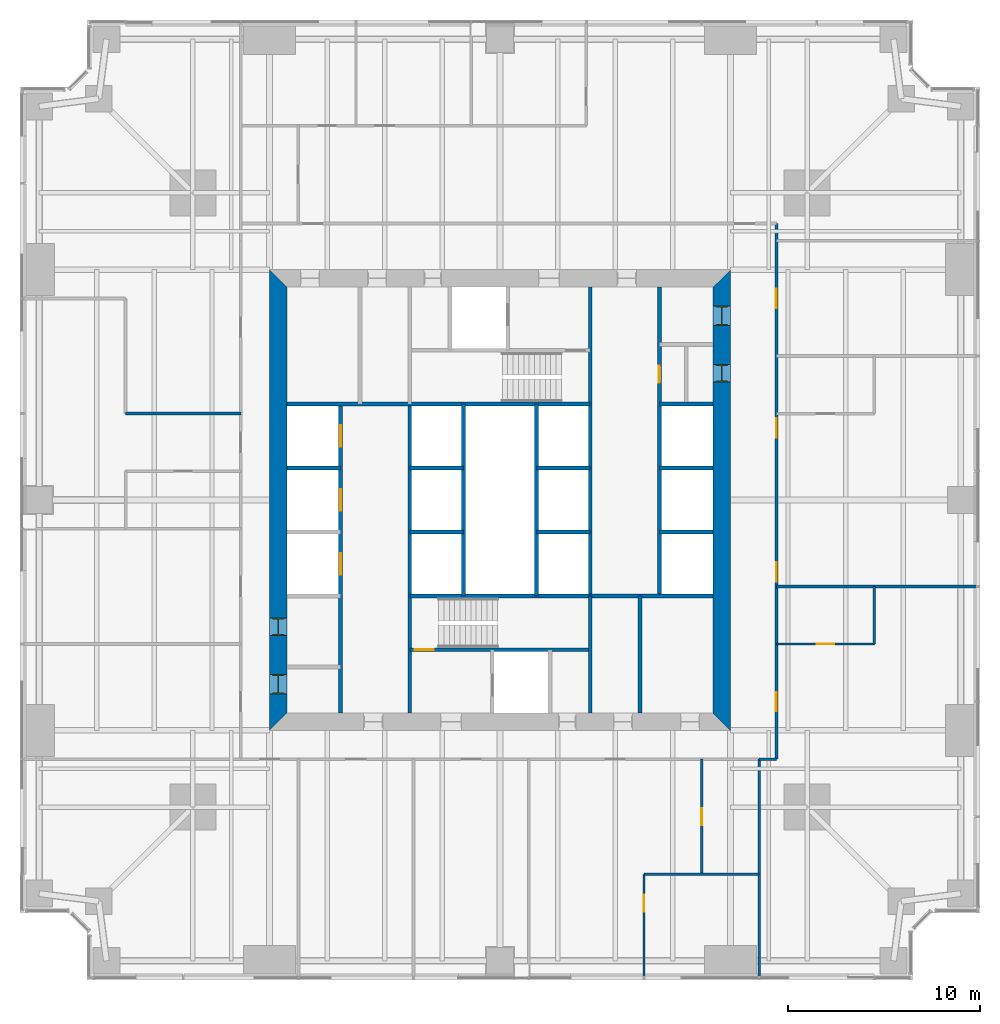
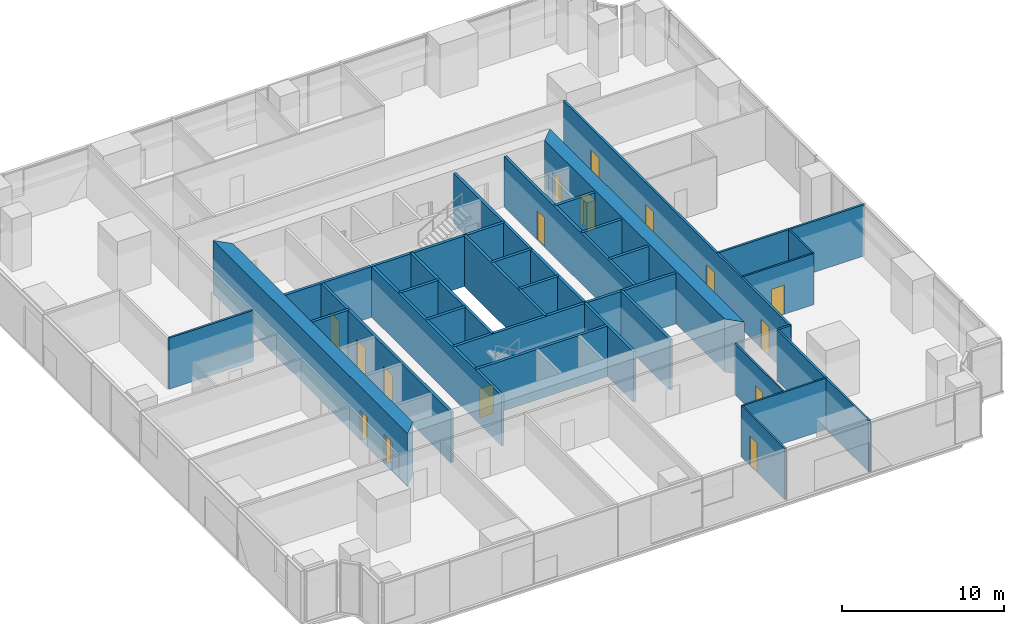
# One storey, part 10 of 14: 31 walls, 16 doors, 16 openings.
"""IFC4 building model written with IfcOpenShell, lengths in metres."""

from ifc_helpers import new_model, si_unit, direction, frame, frame_2d, origin, place, context, subcontext, project, spatial, polyline, rectangle, outline, extrude, material, layer, layer_set, type_object, element, fill, save


model = new_model("IFC4")

# Units and contexts
model_context = context("Model", 3, precision=1e-05, world=origin(), true_north=direction((0.0, 1.0)))
body_context = subcontext(model_context, "Body", "Model", "MODEL_VIEW")
ifc_project = project(units=[si_unit("LENGTHUNIT", "METRE"), si_unit("AREAUNIT", "SQUARE_METRE"), si_unit("VOLUMEUNIT", "CUBIC_METRE"), si_unit("PLANEANGLEUNIT", "RADIAN"), si_unit("MASSUNIT", "GRAM", prefix="KILO")], contexts=[model_context])

# Site, building, storey
site_placement = place(None, origin())
site = spatial("IfcSite", under=ifc_project, at=site_placement, CompositionType="ELEMENT")
building_placement = place(site_placement, origin())
building = spatial("IfcBuilding", under=site, at=building_placement, Name="Fenwick Lantern Interchange", CompositionType="ELEMENT")
storey_placement = place(building_placement, frame((0.0, 0.0, 71.0)))
storey = spatial("IfcBuildingStorey", under=building, at=storey_placement, Name="L16", CompositionType="ELEMENT", Elevation=71.0)

# Wall, openings, doors
ifc_material_1 = material(Name="Concrete masonry ASTM C90 Grade N", Category="masonry")
ifc_layer_1 = layer(ifc_material_1, 0.199951171875)
ifc_layer_set_1 = layer_set([ifc_layer_1], Name="Concrete masonry ASTM C90 Grade N")
wall_type_1 = type_object("IfcWallType", Name="CORE PARTITION 200", PredefinedType="PARTITIONING", material=ifc_layer_set_1)
wall_1_placement = place(storey_placement, frame((16.699951171875, 13.89990234375, 0.0), z_axis=(0.0, 0.0, 1.0), x_axis=(0.0, 1.0, 0.0)))
wall_1 = element("IfcWall", 1, at=wall_1_placement, inside=storey, type_object=wall_type_1, Name="L16/W/CORES/a", PredefinedType="PARTITIONING", context=body_context, shape_type="SweptSolid", body=[
    extrude(rectangle(XDim=16.10009765625, YDim=0.199951171875, at=frame_2d((8.050048828125, 0.0))), origin(), (0.0, 0.0, 1.0), 3.800048828125),
])
opening_1_placement = place(wall_1_placement, frame((7.216552734375, 0.0, 0.0)))
opening_1 = element("IfcOpeningElement", 2, at=opening_1_placement, cuts=wall_1, Name="Opening LD-W1-1", PredefinedType="OPENING", context=body_context, shape_type="SweptSolid", body=[
    extrude(rectangle(XDim=1.10009765625, YDim=2.199951171875, at=frame_2d((0.550048828125, 1.10009765625))), frame((0.0, 0.10986328125, 0.0), z_axis=(0.0, -1.0, 0.0), x_axis=(1.0, 0.0, 0.0)), (0.0, 0.0, 1.0), 0.219970703125),
])
opening_2_placement = place(wall_1_placement, frame((10.550048828125, 0.0, 0.0)))
opening_2 = element("IfcOpeningElement", 3, at=opening_2_placement, cuts=wall_1, Name="Opening LD-W1-2", PredefinedType="OPENING", context=body_context, shape_type="SweptSolid", body=[
    extrude(rectangle(XDim=1.10009765625, YDim=2.199951171875, at=frame_2d((0.550048828125, 1.10009765625))), frame((0.0, 0.10986328125, 0.0), z_axis=(0.0, -1.0, 0.0), x_axis=(1.0, 0.0, 0.0)), (0.0, 0.0, 1.0), 0.219970703125),
])
opening_3_placement = place(wall_1_placement, frame((13.88330078125, 0.0, 0.0)))
opening_3 = element("IfcOpeningElement", 4, at=opening_3_placement, cuts=wall_1, Name="Opening LD-W1-3", PredefinedType="OPENING", context=body_context, shape_type="SweptSolid", body=[
    extrude(rectangle(XDim=1.10009765625, YDim=2.199951171875, at=frame_2d((0.550048828125, 1.10009765625))), frame((0.0, 0.10986328125, 0.0), z_axis=(0.0, -1.0, 0.0), x_axis=(1.0, 0.0, 0.0)), (0.0, 0.0, 1.0), 0.219970703125),
])
ifc_material_2 = material(Name="Steel door and frame", Category="steel")
door_type_1 = type_object("IfcDoorType", Name="LIFT LANDING DOOR 1100 X 2200", OperationType="DOUBLE_DOOR_SLIDING", PredefinedType="DOOR", material=ifc_material_2)
door_1_placement = place(opening_1_placement, origin())
door_1 = element("IfcDoor", 5, at=door_1_placement, inside=storey, type_object=door_type_1, Name="Lift landing door W1-1", OperationType="DOUBLE_DOOR_SLIDING", OverallHeight=2.199951171875, OverallWidth=1.10009765625, PredefinedType="DOOR", context=body_context, shape_type="SweptSolid", body=[
    extrude(rectangle(XDim=1.10009765625, YDim=2.199951171875, at=frame_2d((0.550048828125, 1.10009765625))), frame((0.0, 0.02490234375, 0.0), z_axis=(0.0, -1.0, 0.0), x_axis=(1.0, 0.0, 0.0)), (0.0, 0.0, 1.0), 0.050048828125),
])
fill(opening_1, door_1)
door_2_placement = place(opening_2_placement, origin())
door_2 = element("IfcDoor", 6, at=door_2_placement, inside=storey, type_object=door_type_1, Name="Lift landing door W1-2", OperationType="DOUBLE_DOOR_SLIDING", OverallHeight=2.199951171875, OverallWidth=1.10009765625, PredefinedType="DOOR", context=body_context, shape_type="SweptSolid", body=[
    extrude(rectangle(XDim=1.10009765625, YDim=2.199951171875, at=frame_2d((0.550048828125, 1.10009765625))), frame((0.0, 0.02490234375, 0.0), z_axis=(0.0, -1.0, 0.0), x_axis=(1.0, 0.0, 0.0)), (0.0, 0.0, 1.0), 0.050048828125),
])
fill(opening_2, door_2)
door_3_placement = place(opening_3_placement, origin())
door_3 = element("IfcDoor", 7, at=door_3_placement, inside=storey, type_object=door_type_1, Name="Lift landing door W1-3", OperationType="DOUBLE_DOOR_SLIDING", OverallHeight=2.199951171875, OverallWidth=1.10009765625, PredefinedType="DOOR", context=body_context, shape_type="SweptSolid", body=[
    extrude(rectangle(XDim=1.10009765625, YDim=2.199951171875, at=frame_2d((0.550048828125, 1.10009765625))), frame((0.0, 0.02490234375, 0.0), z_axis=(0.0, -1.0, 0.0), x_axis=(1.0, 0.0, 0.0)), (0.0, 0.0, 1.0), 0.050048828125),
])
fill(opening_3, door_3)

# Walls
for number, where, z_axis, x_axis, name in (
    (8, (13.89990234375, 26.666748046875, 0.0), (0.0, 0.0, 1.0), (1.0, 0.0, 0.0), "L16/W/CORES/d2"),
    (9, (20.300048828125, 23.333251953125, 0.0), (0.0, 0.0, 1.0), (1.0, 0.0, 0.0), "L16/W/CORES/e1"),
    (10, (20.300048828125, 26.666748046875, 0.0), (0.0, 0.0, 1.0), (1.0, 0.0, 0.0), "L16/W/CORES/e2"),
):
    element("IfcWall", number, at=place(storey_placement, frame(where, z_axis=z_axis, x_axis=x_axis)), inside=storey, type_object=wall_type_1, Name=name, PredefinedType="PARTITIONING", context=body_context, shape_type="SweptSolid", body=[
        extrude(rectangle(XDim=2.800048828125, YDim=0.199951171875, at=frame_2d((1.39990234375, 0.0))), origin(), (0.0, 0.0, 1.0), 3.800048828125),
    ])
wall_2_placement = place(storey_placement, frame((23.10009765625, 20.0, 0.0), z_axis=(0.0, 0.0, 1.0), x_axis=(0.0, 1.0, 0.0)))
element("IfcWall", 11, at=wall_2_placement, inside=storey, type_object=wall_type_1, Name="L16/W/CORES/e3", PredefinedType="PARTITIONING", context=body_context, shape_type="SweptSolid", body=[
    extrude(rectangle(XDim=10.0, YDim=0.199951171875, at=frame_2d((5.0, 0.0))), origin(), (0.0, 0.0, 1.0), 3.800048828125),
])
wall_3_placement = place(storey_placement, frame((32.300048828125, 13.89990234375, 0.0), z_axis=(0.0, 0.0, 1.0), x_axis=(0.0, 1.0, 0.0)))
element("IfcWall", 12, at=wall_3_placement, inside=storey, type_object=wall_type_1, Name="L16/W/CORES/i2", PredefinedType="PARTITIONING", context=body_context, shape_type="SweptSolid", body=[
    extrude(rectangle(XDim=6.10009765625, YDim=0.199951171875, at=frame_2d((3.050048828125, 0.0))), origin(), (0.0, 0.0, 1.0), 3.800048828125),
])

# Wall, opening, door
wall_4_placement = place(storey_placement, frame((33.300048828125, 36.10009765625, 0.0), z_axis=(0.0, 0.0, 1.0), x_axis=(0.0, -1.0, 0.0)))
wall_4 = element("IfcWall", 13, at=wall_4_placement, inside=storey, type_object=wall_type_1, Name="L16/W/COREN/a", PredefinedType="PARTITIONING", context=body_context, shape_type="SweptSolid", body=[
    extrude(rectangle(XDim=16.10009765625, YDim=0.199951171875, at=frame_2d((8.050048828125, 0.0))), origin(), (0.0, 0.0, 1.0), 3.800048828125),
])
opening_4_placement = place(wall_4_placement, frame((4.10009765625, 0.0, 0.0)))
opening_4 = element("IfcOpeningElement", 14, at=opening_4_placement, cuts=wall_4, Name="Opening L16-D016", PredefinedType="OPENING", context=body_context, shape_type="SweptSolid", body=[
    extrude(rectangle(XDim=0.89990234375, YDim=2.199951171875, at=frame_2d((0.449951171875, 1.10009765625))), frame((0.0, 0.10986328125, 0.0), z_axis=(0.0, -1.0, 0.0), x_axis=(1.0, 0.0, 0.0)), (0.0, 0.0, 1.0), 0.219970703125),
])
door_type_2 = type_object("IfcDoorType", Name="SERVICE DOOR 900 X 2200", OperationType="SINGLE_SWING_LEFT", PredefinedType="DOOR", material=ifc_material_2)
door_4_placement = place(opening_4_placement, origin())
door_4 = element("IfcDoor", 15, at=door_4_placement, inside=storey, type_object=door_type_2, Name="Service door", OperationType="SINGLE_SWING_LEFT", OverallHeight=2.199951171875, OverallWidth=0.89990234375, PredefinedType="DOOR", context=body_context, shape_type="SweptSolid", body=[
    extrude(rectangle(XDim=0.89990234375, YDim=2.199951171875, at=frame_2d((0.449951171875, 1.10009765625))), frame((0.0, 0.02490234375, 0.0), z_axis=(0.0, -1.0, 0.0), x_axis=(1.0, 0.0, 0.0)), (0.0, 0.0, 1.0), 0.050048828125),
])
fill(opening_4, door_4)

# Walls
for number, where, z_axis, x_axis, name in (
    (16, (36.10009765625, 30.0, 0.0), (0.0, 0.0, 1.0), (-1.0, 0.0, 0.0), "L16/W/COREN/c2"),
    (17, (36.10009765625, 26.666748046875, 0.0), (0.0, 0.0, 1.0), (-1.0, 0.0, 0.0), "L16/W/COREN/d1"),
    (18, (36.10009765625, 23.333251953125, 0.0), (0.0, 0.0, 1.0), (-1.0, 0.0, 0.0), "L16/W/COREN/d2"),
    (19, (29.699951171875, 26.666748046875, 0.0), (0.0, 0.0, 1.0), (-1.0, 0.0, 0.0), "L16/W/COREN/e1"),
    (20, (29.699951171875, 23.333251953125, 0.0), (0.0, 0.0, 1.0), (-1.0, 0.0, 0.0), "L16/W/COREN/e2"),
):
    element("IfcWall", number, at=place(storey_placement, frame(where, z_axis=z_axis, x_axis=x_axis)), inside=storey, type_object=wall_type_1, Name=name, PredefinedType="PARTITIONING", context=body_context, shape_type="SweptSolid", body=[
        extrude(rectangle(XDim=2.800048828125, YDim=0.199951171875, at=frame_2d((1.39990234375, 0.0))), origin(), (0.0, 0.0, 1.0), 3.800048828125),
    ])
wall_5_placement = place(storey_placement, frame((26.89990234375, 30.0, 0.0), z_axis=(0.0, 0.0, 1.0), x_axis=(0.0, -1.0, 0.0)))
element("IfcWall", 21, at=wall_5_placement, inside=storey, type_object=wall_type_1, Name="L16/W/COREN/e3", PredefinedType="PARTITIONING", context=body_context, shape_type="SweptSolid", body=[
    extrude(rectangle(XDim=10.0, YDim=0.199951171875, at=frame_2d((5.0, 0.0))), origin(), (0.0, 0.0, 1.0), 3.800048828125),
])

# Wall, openings, doors
ifc_material_3 = material(Name="Concrete f'c 70 MPa", Category="concrete")
ifc_layer_2 = layer(ifc_material_3, 0.89990234375)
ifc_layer_set_2 = layer_set([ifc_layer_2], Name="CORE WALL 900")
wall_type_2 = type_object("IfcWallType", Name="CORE WALL 900", PredefinedType="SHEAR", material=ifc_layer_set_2)
wall_6_placement = place(storey_placement, frame((36.550048828125, 13.89990234375, 0.0), z_axis=(0.0, 0.0, 1.0), x_axis=(0.0, 1.0, 0.0)))
wall_6 = element("IfcWall", 22, at=wall_6_placement, inside=storey, type_object=wall_type_2, Name="L16/CORE/E", PredefinedType="SHEAR", context=body_context, shape_type="SweptSolid", body=[
    extrude(outline(polyline([(-0.89990234375, -0.449951171875), (23.10009765625, -0.449951171875), (22.199951171875, 0.449951171875), (0.0, 0.449951171875), (-0.89990234375, -0.449951171875)])), origin(), (0.0, 0.0, 1.0), 4.0),
])
opening_5_placement = place(wall_6_placement, frame((20.199951171875, 0.0, 0.0)))
opening_5 = element("IfcOpeningElement", 23, at=opening_5_placement, cuts=wall_6, Name="Opening L16-D015", PredefinedType="OPENING", context=body_context, shape_type="SweptSolid", body=[
    extrude(rectangle(XDim=1.0, YDim=2.199951171875, at=frame_2d((0.5, 1.10009765625))), frame((0.0, 0.4599609375, 0.0), z_axis=(0.0, -1.0, 0.0), x_axis=(1.0, 0.0, 0.0)), (0.0, 0.0, 1.0), 0.919921875),
])
opening_6_placement = place(wall_6_placement, frame((17.25, 0.0, 0.0)))
opening_6 = element("IfcOpeningElement", 24, at=opening_6_placement, cuts=wall_6, Name="Opening L16-D017", PredefinedType="OPENING", context=body_context, shape_type="SweptSolid", body=[
    extrude(rectangle(XDim=0.89990234375, YDim=2.199951171875, at=frame_2d((0.449951171875, 1.10009765625))), frame((0.0, 0.4599609375, 0.0), z_axis=(0.0, -1.0, 0.0), x_axis=(1.0, 0.0, 0.0)), (0.0, 0.0, 1.0), 0.919921875),
])
door_5_placement = place(opening_6_placement, origin())
door_5 = element("IfcDoor", 25, at=door_5_placement, inside=storey, type_object=door_type_2, Name="Service door", OperationType="SINGLE_SWING_RIGHT", OverallHeight=2.199951171875, OverallWidth=0.89990234375, PredefinedType="DOOR", context=body_context, shape_type="SweptSolid", body=[
    extrude(rectangle(XDim=0.89990234375, YDim=2.199951171875, at=frame_2d((0.449951171875, 1.10009765625))), frame((0.0, 0.02490234375, 0.0), z_axis=(0.0, -1.0, 0.0), x_axis=(1.0, 0.0, 0.0)), (0.0, 0.0, 1.0), 0.050048828125),
    extrude(outline(polyline([(0.0, 0.0), (0.0400390625, 0.0), (0.0400390625, 2.159912109375), (0.85986328125, 2.159912109375), (0.85986328125, 0.0), (0.89990234375, 0.0), (0.89990234375, 2.199951171875), (0.0, 2.199951171875), (0.0, 0.0)])), frame((0.0, 0.300048828125, 0.0), z_axis=(0.0, -1.0, 0.0), x_axis=(1.0, 0.0, 0.0)), (0.0, 0.0, 1.0), 0.60009765625),
])
fill(opening_6, door_5)
ifc_material_4 = material(Name="Hardwood door and steel frame", Category="steel")
door_type_3 = type_object("IfcDoorType", Name="WC DOOR 1000 X 2200", OperationType="SINGLE_SWING_LEFT", PredefinedType="DOOR", material=ifc_material_4)
door_6_placement = place(opening_5_placement, origin())
door_6 = element("IfcDoor", 26, at=door_6_placement, inside=storey, type_object=door_type_3, Name="Wc door", OperationType="SINGLE_SWING_LEFT", OverallHeight=2.199951171875, OverallWidth=1.0, PredefinedType="DOOR", context=body_context, shape_type="SweptSolid", body=[
    extrude(rectangle(XDim=1.0, YDim=2.199951171875, at=frame_2d((0.5, 1.10009765625))), frame((0.0, 0.02490234375, 0.0), z_axis=(0.0, -1.0, 0.0), x_axis=(1.0, 0.0, 0.0)), (0.0, 0.0, 1.0), 0.050048828125),
    extrude(outline(polyline([(0.0, 0.0), (0.0400390625, 0.0), (0.0400390625, 2.159912109375), (0.9599609375, 2.159912109375), (0.9599609375, 0.0), (1.0, 0.0), (1.0, 2.199951171875), (0.0, 2.199951171875), (0.0, 0.0)])), frame((0.0, 0.300048828125, 0.0), z_axis=(0.0, -1.0, 0.0), x_axis=(1.0, 0.0, 0.0)), (0.0, 0.0, 1.0), 0.60009765625),
])
fill(opening_5, door_6)

wall_7_placement = place(storey_placement, frame((13.449951171875, 36.10009765625, 0.0), z_axis=(0.0, 0.0, 1.0), x_axis=(0.0, -1.0, 0.0)))
wall_7 = element("IfcWall", 27, at=wall_7_placement, inside=storey, type_object=wall_type_2, Name="L16/CORE/W", PredefinedType="SHEAR", context=body_context, shape_type="SweptSolid", body=[
    extrude(outline(polyline([(-0.89990234375, -0.449951171875), (23.10009765625, -0.449951171875), (22.199951171875, 0.449951171875), (0.0, 0.449951171875), (-0.89990234375, -0.449951171875)])), origin(), (0.0, 0.0, 1.0), 4.0),
])
opening_7_placement = place(wall_7_placement, frame((20.199951171875, 0.0, 0.0)))
opening_7 = element("IfcOpeningElement", 28, at=opening_7_placement, cuts=wall_7, Name="Opening L16-D007", PredefinedType="OPENING", context=body_context, shape_type="SweptSolid", body=[
    extrude(rectangle(XDim=1.0, YDim=2.199951171875, at=frame_2d((0.5, 1.10009765625))), frame((0.0, 0.4599609375, 0.0), z_axis=(0.0, -1.0, 0.0), x_axis=(1.0, 0.0, 0.0)), (0.0, 0.0, 1.0), 0.919921875),
])
opening_8_placement = place(wall_7_placement, frame((17.25, 0.0, 0.0)))
opening_8 = element("IfcOpeningElement", 29, at=opening_8_placement, cuts=wall_7, Name="Opening L16-D008", PredefinedType="OPENING", context=body_context, shape_type="SweptSolid", body=[
    extrude(rectangle(XDim=0.89990234375, YDim=2.199951171875, at=frame_2d((0.449951171875, 1.10009765625))), frame((0.0, 0.4599609375, 0.0), z_axis=(0.0, -1.0, 0.0), x_axis=(1.0, 0.0, 0.0)), (0.0, 0.0, 1.0), 0.919921875),
])
door_7_placement = place(opening_8_placement, origin())
door_7 = element("IfcDoor", 30, at=door_7_placement, inside=storey, type_object=door_type_2, Name="Service door", OperationType="SINGLE_SWING_LEFT", OverallHeight=2.199951171875, OverallWidth=0.89990234375, PredefinedType="DOOR", context=body_context, shape_type="SweptSolid", body=[
    extrude(rectangle(XDim=0.89990234375, YDim=2.199951171875, at=frame_2d((0.449951171875, 1.10009765625))), frame((0.0, 0.02490234375, 0.0), z_axis=(0.0, -1.0, 0.0), x_axis=(1.0, 0.0, 0.0)), (0.0, 0.0, 1.0), 0.050048828125),
    extrude(outline(polyline([(0.0, 0.0), (0.0400390625, 0.0), (0.0400390625, 2.159912109375), (0.85986328125, 2.159912109375), (0.85986328125, 0.0), (0.89990234375, 0.0), (0.89990234375, 2.199951171875), (0.0, 2.199951171875), (0.0, 0.0)])), frame((0.0, 0.300048828125, 0.0), z_axis=(0.0, -1.0, 0.0), x_axis=(1.0, 0.0, 0.0)), (0.0, 0.0, 1.0), 0.60009765625),
])
fill(opening_8, door_7)
door_8_placement = place(opening_7_placement, origin())
door_8 = element("IfcDoor", 31, at=door_8_placement, inside=storey, type_object=door_type_3, Name="Wc door", OperationType="SINGLE_SWING_LEFT", OverallHeight=2.199951171875, OverallWidth=1.0, PredefinedType="DOOR", context=body_context, shape_type="SweptSolid", body=[
    extrude(rectangle(XDim=1.0, YDim=2.199951171875, at=frame_2d((0.5, 1.10009765625))), frame((0.0, 0.02490234375, 0.0), z_axis=(0.0, -1.0, 0.0), x_axis=(1.0, 0.0, 0.0)), (0.0, 0.0, 1.0), 0.050048828125),
    extrude(outline(polyline([(0.0, 0.0), (0.0400390625, 0.0), (0.0400390625, 2.159912109375), (0.9599609375, 2.159912109375), (0.9599609375, 0.0), (1.0, 0.0), (1.0, 2.199951171875), (0.0, 2.199951171875), (0.0, 0.0)])), frame((0.0, 0.300048828125, 0.0), z_axis=(0.0, -1.0, 0.0), x_axis=(1.0, 0.0, 0.0)), (0.0, 0.0, 1.0), 0.60009765625),
])
fill(opening_7, door_8)

# Wall
ifc_material_5 = material(Name="Gypsum board on steel studs, 1 hour", Category="steel")
ifc_layer_3 = layer(ifc_material_5, 0.14990234375)
ifc_layer_set_3 = layer_set([ifc_layer_3], Name="CORRIDOR WALL 150")
wall_type_3 = type_object("IfcWallType", Name="CORRIDOR WALL 150", PredefinedType="PARTITIONING", material=ifc_layer_set_3)
wall_8_placement = place(storey_placement, frame((38.5, 11.5, 0.0), z_axis=(0.0, 0.0, 1.0), x_axis=(1.0, 0.0, 0.0)))
element("IfcWall", 32, at=wall_8_placement, inside=storey, type_object=wall_type_3, Name="L16/W/OFF/E/CWJ", PredefinedType="PARTITIONING", context=body_context, shape_type="SweptSolid", body=[
    extrude(rectangle(XDim=0.89990234375, YDim=0.14990234375, at=frame_2d((0.449951171875, 0.0))), origin(), (0.0, 0.0, 1.0), 3.85009765625),
])

# Wall, openings, doors
wall_9_placement = place(storey_placement, frame((39.39990234375, 11.5, 0.0), z_axis=(0.0, 0.0, 1.0), x_axis=(0.0, 1.0, 0.0)))
wall_9 = element("IfcWall", 33, at=wall_9_placement, inside=storey, type_object=wall_type_3, Name="L16/W/OFF/E/CW2", PredefinedType="PARTITIONING", context=body_context, shape_type="SweptSolid", body=[
    extrude(rectangle(XDim=27.89990234375, YDim=0.14990234375, at=frame_2d((13.949951171875, 0.0))), origin(), (0.0, 0.0, 1.0), 3.85009765625),
])
opening_9_placement = place(wall_9_placement, frame((2.5, 0.0, 0.0)))
opening_9 = element("IfcOpeningElement", 34, at=opening_9_placement, cuts=wall_9, Name="Opening L16-D024", PredefinedType="OPENING", context=body_context, shape_type="SweptSolid", body=[
    extrude(rectangle(XDim=1.0, YDim=2.199951171875, at=frame_2d((0.5, 1.10009765625))), frame((0.0, 0.0849609375, 0.0), z_axis=(0.0, -1.0, 0.0), x_axis=(1.0, 0.0, 0.0)), (0.0, 0.0, 1.0), 0.169921875),
])
opening_10_placement = place(wall_9_placement, frame((9.25, 0.0, 0.0)))
opening_10 = element("IfcOpeningElement", 35, at=opening_10_placement, cuts=wall_9, Name="Opening L16-D026", PredefinedType="OPENING", context=body_context, shape_type="SweptSolid", body=[
    extrude(rectangle(XDim=1.0, YDim=2.199951171875, at=frame_2d((0.5, 1.10009765625))), frame((0.0, 0.0849609375, 0.0), z_axis=(0.0, -1.0, 0.0), x_axis=(1.0, 0.0, 0.0)), (0.0, 0.0, 1.0), 0.169921875),
])
opening_11_placement = place(wall_9_placement, frame((16.75, 0.0, 0.0)))
opening_11 = element("IfcOpeningElement", 36, at=opening_11_placement, cuts=wall_9, Name="Opening L16-D027", PredefinedType="OPENING", context=body_context, shape_type="SweptSolid", body=[
    extrude(rectangle(XDim=1.0, YDim=2.199951171875, at=frame_2d((0.5, 1.10009765625))), frame((0.0, 0.0849609375, 0.0), z_axis=(0.0, -1.0, 0.0), x_axis=(1.0, 0.0, 0.0)), (0.0, 0.0, 1.0), 0.169921875),
])
opening_12_placement = place(wall_9_placement, frame((23.5, 0.0, 0.0)))
opening_12 = element("IfcOpeningElement", 37, at=opening_12_placement, cuts=wall_9, Name="Opening L16-D029", PredefinedType="OPENING", context=body_context, shape_type="SweptSolid", body=[
    extrude(rectangle(XDim=1.0, YDim=2.199951171875, at=frame_2d((0.5, 1.10009765625))), frame((0.0, 0.0849609375, 0.0), z_axis=(0.0, -1.0, 0.0), x_axis=(1.0, 0.0, 0.0)), (0.0, 0.0, 1.0), 0.169921875),
])
door_type_4 = type_object("IfcDoorType", Name="SUITE ENTRANCE DOOR 1000 X 2200", OperationType="SINGLE_SWING_LEFT", PredefinedType="DOOR", material=ifc_material_2)
door_9_placement = place(opening_9_placement, frame((1.0, 0.0, 0.0), z_axis=(0.0, 0.0, 1.0), x_axis=(-1.0, 0.0, 0.0)))
door_9 = element("IfcDoor", 38, at=door_9_placement, inside=storey, type_object=door_type_4, Name="Suite entrance door", OperationType="SINGLE_SWING_LEFT", OverallHeight=2.199951171875, OverallWidth=1.0, PredefinedType="DOOR", context=body_context, shape_type="SweptSolid", body=[
    extrude(rectangle(XDim=1.0, YDim=2.199951171875, at=frame_2d((0.5, 1.10009765625))), frame((0.0, 0.02490234375, 0.0), z_axis=(0.0, -1.0, 0.0), x_axis=(1.0, 0.0, 0.0)), (0.0, 0.0, 1.0), 0.050048828125),
])
fill(opening_9, door_9)
door_10_placement = place(opening_10_placement, origin())
door_10 = element("IfcDoor", 39, at=door_10_placement, inside=storey, type_object=door_type_4, Name="Suite entrance door", OperationType="SINGLE_SWING_LEFT", OverallHeight=2.199951171875, OverallWidth=1.0, PredefinedType="DOOR", context=body_context, shape_type="SweptSolid", body=[
    extrude(rectangle(XDim=1.0, YDim=2.199951171875, at=frame_2d((0.5, 1.10009765625))), frame((0.0, 0.02490234375, 0.0), z_axis=(0.0, -1.0, 0.0), x_axis=(1.0, 0.0, 0.0)), (0.0, 0.0, 1.0), 0.050048828125),
])
fill(opening_10, door_10)
door_11_placement = place(opening_11_placement, origin())
door_11 = element("IfcDoor", 40, at=door_11_placement, inside=storey, type_object=door_type_4, Name="Suite entrance door", OperationType="SINGLE_SWING_RIGHT", OverallHeight=2.199951171875, OverallWidth=1.0, PredefinedType="DOOR", context=body_context, shape_type="SweptSolid", body=[
    extrude(rectangle(XDim=1.0, YDim=2.199951171875, at=frame_2d((0.5, 1.10009765625))), frame((0.0, 0.02490234375, 0.0), z_axis=(0.0, -1.0, 0.0), x_axis=(1.0, 0.0, 0.0)), (0.0, 0.0, 1.0), 0.050048828125),
])
fill(opening_11, door_11)
door_12_placement = place(opening_12_placement, frame((1.0, 0.0, 0.0), z_axis=(0.0, 0.0, 1.0), x_axis=(-1.0, 0.0, 0.0)))
door_12 = element("IfcDoor", 41, at=door_12_placement, inside=storey, type_object=door_type_4, Name="Suite entrance door", OperationType="SINGLE_SWING_RIGHT", OverallHeight=2.199951171875, OverallWidth=1.0, PredefinedType="DOOR", context=body_context, shape_type="SweptSolid", body=[
    extrude(rectangle(XDim=1.0, YDim=2.199951171875, at=frame_2d((0.5, 1.10009765625))), frame((0.0, 0.02490234375, 0.0), z_axis=(0.0, -1.0, 0.0), x_axis=(1.0, 0.0, 0.0)), (0.0, 0.0, 1.0), 0.050048828125),
])
fill(opening_12, door_12)

# Wall, opening, door
ifc_material_6 = material(Name="Gypsum board on steel studs, acoustic", Category="steel")
ifc_layer_4 = layer(ifc_material_6, 0.125)
ifc_layer_set_4 = layer_set([ifc_layer_4], Name="OFFICE PARTITION 125")
wall_type_4 = type_object("IfcWallType", Name="OFFICE PARTITION 125", PredefinedType="PARTITIONING", material=ifc_layer_set_4)
wall_10_placement = place(storey_placement, frame((32.5, 0.14990234375, 0.0), z_axis=(0.0, 0.0, 1.0), x_axis=(0.0, 1.0, 0.0)))
wall_10 = element("IfcWall", 42, at=wall_10_placement, inside=storey, type_object=wall_type_4, Name="L16/W/OFF/S/X325-1", PredefinedType="PARTITIONING", context=body_context, shape_type="SweptSolid", body=[
    extrude(rectangle(XDim=5.35009765625, YDim=0.125, at=frame_2d((2.675048828125, 0.0))), origin(), (0.0, 0.0, 1.0), 3.85009765625),
])
opening_13_placement = place(wall_10_placement, frame((3.39990234375, 0.0, 0.0)))
opening_13 = element("IfcOpeningElement", 43, at=opening_13_placement, cuts=wall_10, Name="Opening L16-D022", PredefinedType="OPENING", context=body_context, shape_type="SweptSolid", body=[
    extrude(rectangle(XDim=0.89990234375, YDim=2.199951171875, at=frame_2d((0.449951171875, 1.10009765625))), frame((0.0, 0.072509765625, 0.0), z_axis=(0.0, -1.0, 0.0), x_axis=(1.0, 0.0, 0.0)), (0.0, 0.0, 1.0), 0.14501953125),
])
door_type_5 = type_object("IfcDoorType", Name="OFFICE DOOR 900 X 2200", OperationType="SINGLE_SWING_LEFT", PredefinedType="DOOR", material=ifc_material_4)
door_13_placement = place(opening_13_placement, frame((0.89990234375, 0.0, 0.0), z_axis=(0.0, 0.0, 1.0), x_axis=(-1.0, 0.0, 0.0)))
door_13 = element("IfcDoor", 44, at=door_13_placement, inside=storey, type_object=door_type_5, Name="Office door", OperationType="SINGLE_SWING_LEFT", OverallHeight=2.199951171875, OverallWidth=0.89990234375, PredefinedType="DOOR", context=body_context, shape_type="SweptSolid", body=[
    extrude(rectangle(XDim=0.89990234375, YDim=2.199951171875, at=frame_2d((0.449951171875, 1.10009765625))), frame((0.0, 0.02490234375, 0.0), z_axis=(0.0, -1.0, 0.0), x_axis=(1.0, 0.0, 0.0)), (0.0, 0.0, 1.0), 0.050048828125),
])
fill(opening_13, door_13)

wall_11_placement = place(storey_placement, frame((35.5, 5.5, 0.0), z_axis=(0.0, 0.0, 1.0), x_axis=(0.0, 1.0, 0.0)))
wall_11 = element("IfcWall", 45, at=wall_11_placement, inside=storey, type_object=wall_type_4, Name="L16/W/OFF/S/X355-1", PredefinedType="PARTITIONING", context=body_context, shape_type="SweptSolid", body=[
    extrude(rectangle(XDim=6.0, YDim=0.125, at=frame_2d((3.0, 0.0))), origin(), (0.0, 0.0, 1.0), 3.85009765625),
])
opening_14_placement = place(wall_11_placement, frame((2.550048828125, 0.0, 0.0)))
opening_14 = element("IfcOpeningElement", 46, at=opening_14_placement, cuts=wall_11, Name="Opening L16-D023", PredefinedType="OPENING", context=body_context, shape_type="SweptSolid", body=[
    extrude(rectangle(XDim=0.89990234375, YDim=2.199951171875, at=frame_2d((0.449951171875, 1.10009765625))), frame((0.0, 0.072509765625, 0.0), z_axis=(0.0, -1.0, 0.0), x_axis=(1.0, 0.0, 0.0)), (0.0, 0.0, 1.0), 0.14501953125),
])
door_14_placement = place(opening_14_placement, frame((0.89990234375, 0.0, 0.0), z_axis=(0.0, 0.0, 1.0), x_axis=(-1.0, 0.0, 0.0)))
door_14 = element("IfcDoor", 47, at=door_14_placement, inside=storey, type_object=door_type_5, Name="Office door", OperationType="SINGLE_SWING_RIGHT", OverallHeight=2.199951171875, OverallWidth=0.89990234375, PredefinedType="DOOR", context=body_context, shape_type="SweptSolid", body=[
    extrude(rectangle(XDim=0.89990234375, YDim=2.199951171875, at=frame_2d((0.449951171875, 1.10009765625))), frame((0.0, 0.02490234375, 0.0), z_axis=(0.0, -1.0, 0.0), x_axis=(1.0, 0.0, 0.0)), (0.0, 0.0, 1.0), 0.050048828125),
])
fill(opening_14, door_14)

# Wall
wall_12_placement = place(storey_placement, frame((32.5, 5.5, 0.0), z_axis=(0.0, 0.0, 1.0), x_axis=(1.0, 0.0, 0.0)))
element("IfcWall", 48, at=wall_12_placement, inside=storey, type_object=wall_type_4, Name="L16/W/OFF/S/Y55-1", PredefinedType="PARTITIONING", context=body_context, shape_type="SweptSolid", body=[
    extrude(rectangle(XDim=6.0, YDim=0.125, at=frame_2d((3.0, 0.0))), origin(), (0.0, 0.0, 1.0), 3.85009765625),
])

# Wall, opening, door
wall_13_placement = place(storey_placement, frame((44.5, 17.5, 0.0), z_axis=(0.0, 0.0, 1.0), x_axis=(-1.0, 0.0, 0.0)))
wall_13 = element("IfcWall", 49, at=wall_13_placement, inside=storey, type_object=wall_type_4, Name="L16/W/OFF/E/X175-1", PredefinedType="PARTITIONING", context=body_context, shape_type="SweptSolid", body=[
    extrude(rectangle(XDim=5.10009765625, YDim=0.125, at=frame_2d((2.550048828125, 0.0))), origin(), (0.0, 0.0, 1.0), 3.85009765625),
])
opening_15_placement = place(wall_13_placement, frame((2.10009765625, 0.0, 0.0)))
opening_15 = element("IfcOpeningElement", 50, at=opening_15_placement, cuts=wall_13, Name="Opening L16-D025", PredefinedType="OPENING", context=body_context, shape_type="SweptSolid", body=[
    extrude(rectangle(XDim=0.89990234375, YDim=2.199951171875, at=frame_2d((0.449951171875, 1.10009765625))), frame((0.0, 0.072509765625, 0.0), z_axis=(0.0, -1.0, 0.0), x_axis=(1.0, 0.0, 0.0)), (0.0, 0.0, 1.0), 0.14501953125),
])
door_15_placement = place(opening_15_placement, frame((0.89990234375, 0.0, 0.0), z_axis=(0.0, 0.0, 1.0), x_axis=(-1.0, 0.0, 0.0)))
door_15 = element("IfcDoor", 51, at=door_15_placement, inside=storey, type_object=door_type_5, Name="Office door", OperationType="SINGLE_SWING_RIGHT", OverallHeight=2.199951171875, OverallWidth=0.89990234375, PredefinedType="DOOR", context=body_context, shape_type="SweptSolid", body=[
    extrude(rectangle(XDim=0.89990234375, YDim=2.199951171875, at=frame_2d((0.449951171875, 1.10009765625))), frame((0.0, 0.02490234375, 0.0), z_axis=(0.0, -1.0, 0.0), x_axis=(1.0, 0.0, 0.0)), (0.0, 0.0, 1.0), 0.050048828125),
])
fill(opening_15, door_15)

# Walls
wall_14_placement = place(storey_placement, frame((44.5, 17.5, 0.0), z_axis=(0.0, 0.0, 1.0), x_axis=(0.0, 1.0, 0.0)))
element("IfcWall", 52, at=wall_14_placement, inside=storey, type_object=wall_type_4, Name="L16/W/OFF/E/Y55-1", PredefinedType="PARTITIONING", context=body_context, shape_type="SweptSolid", body=[
    extrude(rectangle(XDim=3.0, YDim=0.125, at=frame_2d((1.5, 0.0))), origin(), (0.0, 0.0, 1.0), 3.85009765625),
])
ifc_material_7 = material(Name="Concrete f'c 45 MPa", Category="concrete")
ifc_layer_5 = layer(ifc_material_7, 0.199951171875)
ifc_layer_set_5 = layer_set([ifc_layer_5], Name="STAIR CORE WALL 200")
wall_type_5 = type_object("IfcWallType", Name="STAIR CORE WALL 200", PredefinedType="SOLIDWALL", material=ifc_layer_set_5)
wall_15_placement = place(storey_placement, frame((20.300048828125, 13.89990234375, 0.0), z_axis=(0.0, 0.0, 1.0), x_axis=(0.0, 1.0, 0.0)))
element("IfcWall", 53, at=wall_15_placement, inside=storey, type_object=wall_type_5, Name="L16/W/CORES/b", PredefinedType="SOLIDWALL", context=body_context, shape_type="SweptSolid", body=[
    extrude(rectangle(XDim=16.10009765625, YDim=0.199951171875, at=frame_2d((8.050048828125, 0.0))), origin(), (0.0, 0.0, 1.0), 3.800048828125),
])

# Wall, opening, door
wall_16_placement = place(storey_placement, frame((20.300048828125, 17.199951171875, 0.0), z_axis=(0.0, 0.0, 1.0), x_axis=(1.0, 0.0, 0.0)))
wall_16 = element("IfcWall", 54, at=wall_16_placement, inside=storey, type_object=wall_type_5, Name="L16/W/CORES/g1", PredefinedType="SOLIDWALL", context=body_context, shape_type="SweptSolid", body=[
    extrude(rectangle(XDim=9.39990234375, YDim=0.199951171875, at=frame_2d((4.699951171875, 0.0))), origin(), (0.0, 0.0, 1.0), 3.800048828125),
])
opening_16_placement = place(wall_16_placement, frame((0.25, 0.0, 0.0)))
opening_16 = element("IfcOpeningElement", 55, at=opening_16_placement, cuts=wall_16, Name="Opening L16-D003", PredefinedType="OPENING", context=body_context, shape_type="SweptSolid", body=[
    extrude(rectangle(XDim=1.0, YDim=2.199951171875, at=frame_2d((0.5, 1.10009765625))), frame((0.0, 0.10986328125, 0.0), z_axis=(0.0, -1.0, 0.0), x_axis=(1.0, 0.0, 0.0)), (0.0, 0.0, 1.0), 0.219970703125),
])
door_type_6 = type_object("IfcDoorType", Name="STAIR DOOR 1000 X 2200", OperationType="SINGLE_SWING_LEFT", PredefinedType="DOOR", material=ifc_material_2)
door_16_placement = place(opening_16_placement, origin())
door_16 = element("IfcDoor", 56, at=door_16_placement, inside=storey, type_object=door_type_6, Name="Stair door", OperationType="SINGLE_SWING_LEFT", OverallHeight=2.199951171875, OverallWidth=1.0, PredefinedType="DOOR", context=body_context, shape_type="SweptSolid", body=[
    extrude(rectangle(XDim=1.0, YDim=2.199951171875, at=frame_2d((0.5, 1.10009765625))), frame((0.0, 0.02490234375, 0.0), z_axis=(0.0, -1.0, 0.0), x_axis=(1.0, 0.0, 0.0)), (0.0, 0.0, 1.0), 0.050048828125),
])
fill(opening_16, door_16)

# Walls
wall_17_placement = place(storey_placement, frame((20.300048828125, 20.0, 0.0), z_axis=(0.0, 0.0, 1.0), x_axis=(1.0, 0.0, 0.0)))
element("IfcWall", 57, at=wall_17_placement, inside=storey, type_object=wall_type_5, Name="L16/W/CORES/g2", PredefinedType="SOLIDWALL", context=body_context, shape_type="SweptSolid", body=[
    extrude(rectangle(XDim=15.800048828125, YDim=0.199951171875, at=frame_2d((7.89990234375, 0.0))), origin(), (0.0, 0.0, 1.0), 3.800048828125),
])
wall_18_placement = place(storey_placement, frame((29.699951171875, 13.89990234375, 0.0), z_axis=(0.0, 0.0, 1.0), x_axis=(0.0, 1.0, 0.0)))
element("IfcWall", 58, at=wall_18_placement, inside=storey, type_object=wall_type_5, Name="L16/W/CORES/i1", PredefinedType="SOLIDWALL", context=body_context, shape_type="SweptSolid", body=[
    extrude(rectangle(XDim=6.10009765625, YDim=0.199951171875, at=frame_2d((3.050048828125, 0.0))), origin(), (0.0, 0.0, 1.0), 3.800048828125),
])
wall_19_placement = place(storey_placement, frame((29.699951171875, 36.10009765625, 0.0), z_axis=(0.0, 0.0, 1.0), x_axis=(0.0, -1.0, 0.0)))
element("IfcWall", 59, at=wall_19_placement, inside=storey, type_object=wall_type_5, Name="L16/W/COREN/b", PredefinedType="SOLIDWALL", context=body_context, shape_type="SweptSolid", body=[
    extrude(rectangle(XDim=16.10009765625, YDim=0.199951171875, at=frame_2d((8.050048828125, 0.0))), origin(), (0.0, 0.0, 1.0), 3.800048828125),
])
wall_20_placement = place(storey_placement, frame((29.699951171875, 30.0, 0.0), z_axis=(0.0, 0.0, 1.0), x_axis=(-1.0, 0.0, 0.0)))
element("IfcWall", 60, at=wall_20_placement, inside=storey, type_object=wall_type_5, Name="L16/W/COREN/g2", PredefinedType="SOLIDWALL", context=body_context, shape_type="SweptSolid", body=[
    extrude(rectangle(XDim=15.800048828125, YDim=0.199951171875, at=frame_2d((7.89990234375, 0.0))), origin(), (0.0, 0.0, 1.0), 3.800048828125),
])
ifc_material_8 = material(Name="Gypsum board on steel studs, 1 hour acoustic", Category="steel")
ifc_layer_6 = layer(ifc_material_8, 0.14990234375)
ifc_layer_set_6 = layer_set([ifc_layer_6], Name="TENANT WALL 150")
wall_type_6 = type_object("IfcWallType", Name="TENANT WALL 150", PredefinedType="PARTITIONING", material=ifc_layer_set_6)
wall_21_placement = place(storey_placement, frame((38.5, 0.14990234375, 0.0), z_axis=(0.0, 0.0, 1.0), x_axis=(0.0, 1.0, 0.0)))
element("IfcWall", 61, at=wall_21_placement, inside=storey, type_object=wall_type_6, Name="L16/W/OFF/E/BACK", PredefinedType="PARTITIONING", context=body_context, shape_type="SweptSolid", body=[
    extrude(rectangle(XDim=11.35009765625, YDim=0.14990234375, at=frame_2d((5.675048828125, 0.0))), origin(), (0.0, 0.0, 1.0), 3.85009765625),
])
wall_22_placement = place(storey_placement, frame((49.85009765625, 20.5, 0.0), z_axis=(0.0, 0.0, 1.0), x_axis=(-1.0, 0.0, 0.0)))
element("IfcWall", 62, at=wall_22_placement, inside=storey, type_object=wall_type_6, Name="L16/W/OFF/E/X205-1", PredefinedType="PARTITIONING", context=body_context, shape_type="SweptSolid", body=[
    extrude(rectangle(XDim=10.4501953125, YDim=0.14990234375, at=frame_2d((5.22509765625, 0.0))), origin(), (0.0, 0.0, 1.0), 3.85009765625),
])
wall_23_placement = place(storey_placement, frame((5.5, 29.5, 0.0), z_axis=(0.0, 0.0, 1.0), x_axis=(1.0, 0.0, 0.0)))
element("IfcWall", 63, at=wall_23_placement, inside=storey, type_object=wall_type_6, Name="L16/W/OFF/W/X205-1", PredefinedType="PARTITIONING", context=body_context, shape_type="SweptSolid", body=[
    extrude(rectangle(XDim=6.0, YDim=0.14990234375, at=frame_2d((3.0, 0.0))), origin(), (0.0, 0.0, 1.0), 3.85009765625),
])

save(model, "model.ifc")
